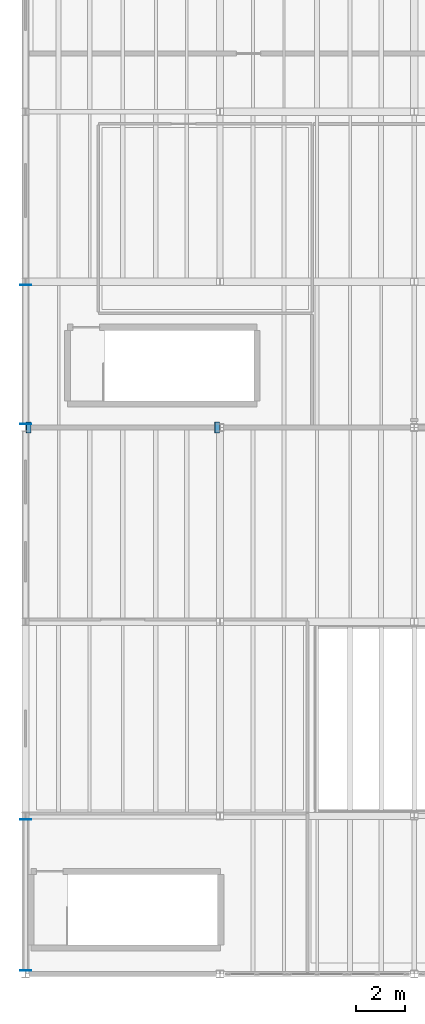
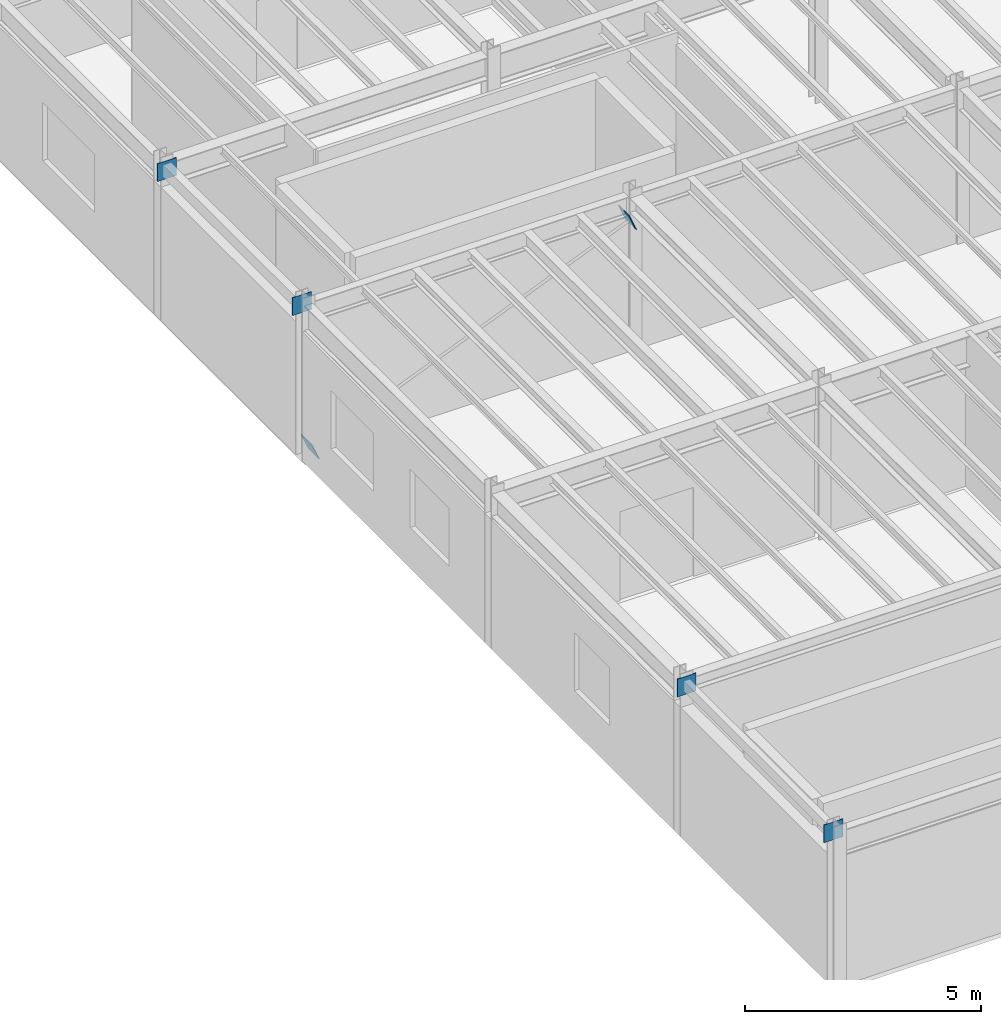
# One storey, part 54 of 78: 6 plates.
"""IFC4 building model written with IfcOpenShell, lengths in metres."""

from ifc_helpers import new_model, si_unit, direction, frame, origin, origin_2d, place, context, subcontext, project, spatial, rectangle, extrude, material, material_profile, profile_set, type_object, element, save


model = new_model("IFC4")

# Units and contexts
model_context = context("Model", 3, precision=1e-05, world=origin(), true_north=direction((0.0, 1.0)))
body_context = subcontext(model_context, "Body", "Model", "MODEL_VIEW")
ifc_project = project(units=[si_unit("LENGTHUNIT", "METRE"), si_unit("AREAUNIT", "SQUARE_METRE"), si_unit("VOLUMEUNIT", "CUBIC_METRE"), si_unit("PLANEANGLEUNIT", "RADIAN"), si_unit("MASSUNIT", "GRAM", prefix="KILO"), si_unit("THERMODYNAMICTEMPERATUREUNIT", "KELVIN"), si_unit("POWERUNIT", "WATT")], contexts=[model_context])

# Site, building, storey
site_placement = place(None, origin())
site = spatial("IfcSite", under=ifc_project, at=site_placement, CompositionType="ELEMENT")
building_placement = place(site_placement, origin())
building = spatial("IfcBuilding", under=site, at=building_placement, Name="Zhenchuan Central Fire Station", CompositionType="ELEMENT")
storey_placement = place(building_placement, frame((0.0, 0.0, 5.85009765625)))
storey = spatial("IfcBuildingStorey", under=building, at=storey_placement, Name="L02", CompositionType="ELEMENT", Elevation=5.85009765625)

# Plates
ifc_material = material(Name="Steel Q355B", Category="steel")
ifc_material_profile_1 = material_profile(ifc_material, rectangle(XDim=0.4599609375, YDim=0.4599609375, at=origin_2d()), Name="PL 460x460x28")
ifc_profile_set_1 = profile_set([ifc_material_profile_1], Name="Steel Q355B")
plate_type_1 = type_object("IfcPlateType", Name="PL-GUS28", PredefinedType="SHEET", material=ifc_profile_set_1)
for number, where, z_axis, x_axis, name in (
    (1, (0.0, 0.134033203125, 3.875), (0.0, 1.0, 0.0), (-1.0, 0.0, 0.0), "L03 Girder NS 0274 end cap plate A"),
    (2, (0.0, 6.345947265625, 3.875), (0.0, 1.0, 0.0), (-1.0, 0.0, 0.0), "L03 Girder NS 0274 end cap plate B"),
    (3, (0.0, 22.634033203125, 3.849853515625), (0.0, 1.0, 0.0), (-1.0, 0.0, 0.0), "L03 Girder NS 0277 end cap plate A"),
    (4, (0.0, 28.345947265625, 3.849853515625), (0.0, 1.0, 0.0), (-1.0, 0.0, 0.0), "L03 Girder NS 0277 end cap plate B"),
):
    element("IfcPlate", number, at=place(storey_placement, frame(where, z_axis=z_axis, x_axis=x_axis)), inside=storey, type_object=plate_type_1, Name=name, PredefinedType="SHEET", context=body_context, shape_type="SweptSolid", body=[
        extrude(rectangle(XDim=0.4599609375, YDim=0.4599609375, at=origin_2d()), origin(), (0.0, 0.0, 1.0), 0.02001953125),
    ])
ifc_material_profile_2 = material_profile(ifc_material, rectangle(XDim=0.4599609375, YDim=0.4599609375, at=origin_2d()), Name="PL 460x460x28")
ifc_profile_set_2 = profile_set([ifc_material_profile_2], Name="Steel Q355B")
plate_type_2 = type_object("IfcPlateType", Name="PL-GUS28-INT", PredefinedType="SHEET", material=ifc_profile_set_2)
for number, where, z_axis, x_axis, name in (
    (5, (0.11328125, 22.5, 0.19384765625), (0.924166879681, 0.0, 0.381988976935), (0.0, 1.0, 0.0), "Interior Frame Lateral Brace 04 end cap plate A"),
    (6, (7.868408203125, 22.5, 3.3984375), (0.924166879681, 0.0, 0.381988976935), (0.0, 1.0, 0.0), "Interior Frame Lateral Brace 04 end cap plate B"),
):
    element("IfcPlate", number, at=place(storey_placement, frame(where, z_axis=z_axis, x_axis=x_axis)), inside=storey, type_object=plate_type_2, Name=name, PredefinedType="SHEET", context=body_context, shape_type="SweptSolid", body=[
        extrude(rectangle(XDim=0.4599609375, YDim=0.4599609375, at=origin_2d()), origin(), (0.0, 0.0, 1.0), 0.019775390625),
    ])

save(model, "model.ifc")
